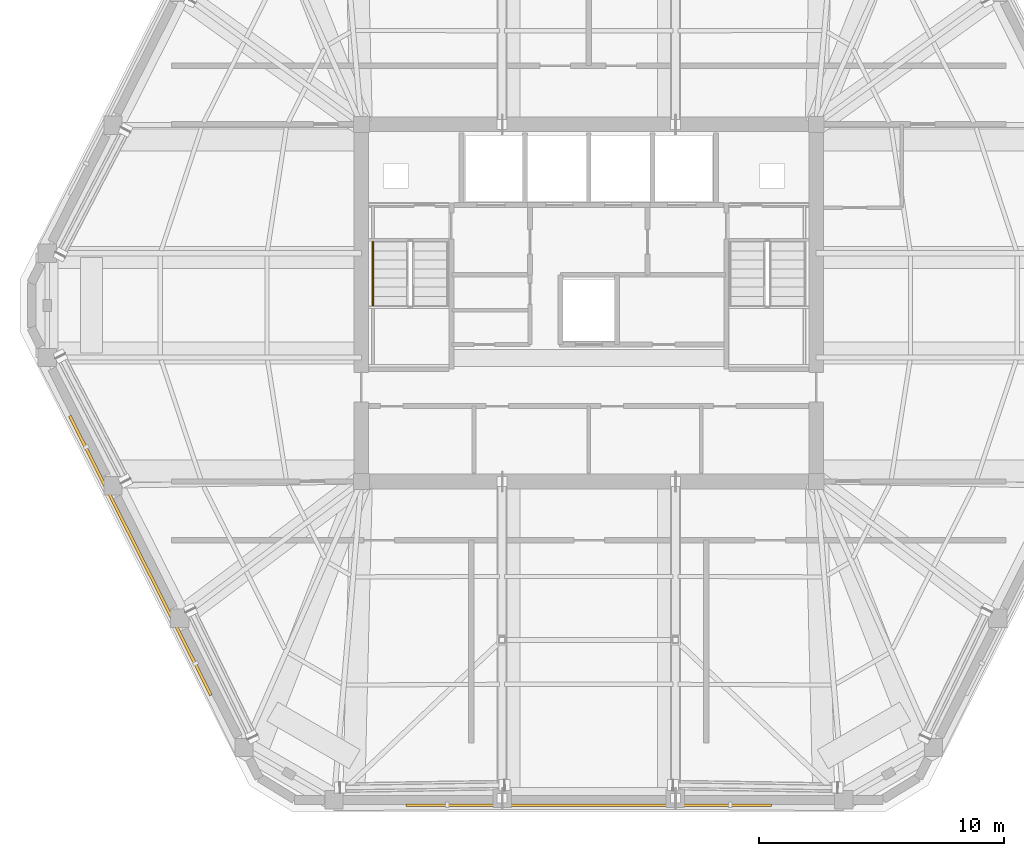
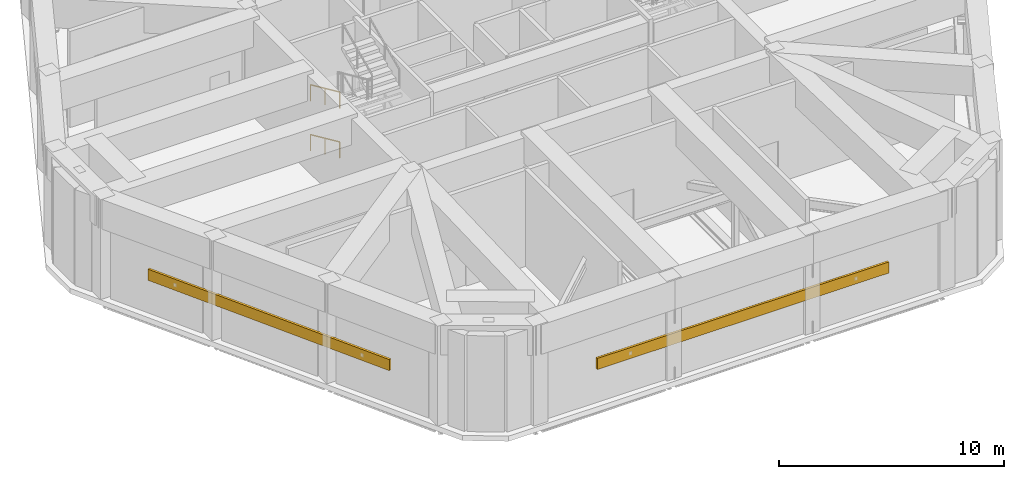
# One storey, part 13 of 15: 2 railings, 2 shading devices.
"""IFC4 building model written with IfcOpenShell, lengths in metres."""

import ifcopenshell
import ifcopenshell.guid

model = None  # the IFC model being written
_history = None  # IfcOwnerHistory: only IFC2X3 demands one
_inside = {}  # id of a spatial element -> (the spatial element, [elements in it])
_under = {}  # id of a project, library or spatial element -> (it, [spatial elements below it])
_declared = {}  # id of a project -> (the project, [libraries it declares])
_typed = {}  # id of a type object -> (the type object, [elements of that type])
_made_of = {}  # id of a material, layer set ... -> (it, [elements and type objects made of it])


def new_model(schema):
    """Start an empty IFC model of exactly this schema.

    Asked for "IFC4X3", IfcOpenShell would pick the latest addendum, in which some entities
    have other attributes; the version numbers below select the first issue.
    IFC2X3 requires an IfcOwnerHistory on every rooted entity: one is made here for all.
    """
    global model, _history
    if schema == "IFC4X3":
        model = ifcopenshell.file(schema_version=(4, 3, 0, 0))
    else:
        model = ifcopenshell.file(schema=schema)
    _inside.clear()
    _under.clear()
    _declared.clear()
    _typed.clear()
    _made_of.clear()
    _history = None
    if model.schema == "IFC2X3":
        org = make("IfcOrganization", Name="unknown")
        user = make(
            "IfcPersonAndOrganization",
            ThePerson=make("IfcPerson", FamilyName="unknown"),
            TheOrganization=org,
        )
        app = make(
            "IfcApplication",
            ApplicationDeveloper=org,
            Version="unknown",
            ApplicationFullName="unknown",
            ApplicationIdentifier="unknown",
        )
        _history = make(
            "IfcOwnerHistory",
            OwningUser=user,
            OwningApplication=app,
            ChangeAction="ADDED",
            CreationDate=0,
        )
    return model


def make(cls, **values):
    """One entity of the class cls with the attributes given. An attribute that is None is left unset."""
    return model.create_entity(
        cls, **{name: value for name, value in values.items() if value is not None}
    )


def rooted(cls, **values):
    """An entity with a GlobalId (a new one), such as an element, a storey or a relation."""
    return make(cls, GlobalId=ifcopenshell.guid.new(), OwnerHistory=_history, **values)


def si_unit(unit_type, name, prefix=None):
    """IfcSIUnit, for example si_unit("LENGTHUNIT", "METRE", prefix="MILLI")."""
    return make("IfcSIUnit", UnitType=unit_type, Prefix=prefix, Name=name)


def assignment(units):
    """IfcUnitAssignment: the units of a project."""
    return None if units is None else make("IfcUnitAssignment", Units=units)


def point(xyz):
    """IfcCartesianPoint."""
    return None if xyz is None else make("IfcCartesianPoint", Coordinates=xyz)


def direction(xyz):
    """IfcDirection."""
    return None if xyz is None else make("IfcDirection", DirectionRatios=xyz)


def frame(location, z_axis=None, x_axis=None):
    """IfcAxis2Placement3D, a coordinate frame: its origin and axes. An axis left out is left unset."""
    return make(
        "IfcAxis2Placement3D",
        Location=point(location),
        Axis=direction(z_axis),
        RefDirection=direction(x_axis),
    )


def frame_2d(location, x_axis=None):
    """IfcAxis2Placement2D, a coordinate frame in the plane: its origin and x axis."""
    return make(
        "IfcAxis2Placement2D", Location=point(location), RefDirection=direction(x_axis)
    )


def origin():
    """The frame at (0, 0, 0) with its axes left unset."""
    return frame((0.0, 0.0, 0.0))


def origin_2d():
    """The frame at (0, 0) in the plane with its x axis left unset."""
    return frame_2d((0.0, 0.0))


def place(relative_to, where):
    """IfcLocalPlacement: puts the frame where relative to a parent placement (None: the world)."""
    return make(
        "IfcLocalPlacement", PlacementRelTo=relative_to, RelativePlacement=where
    )


def context(
    kind, dimensions, precision=None, world=None, true_north=None, identifier=None
):
    """IfcGeometricRepresentationContext, for example the 3D "Model" context."""
    return make(
        "IfcGeometricRepresentationContext",
        ContextIdentifier=identifier,
        ContextType=kind,
        CoordinateSpaceDimension=dimensions,
        Precision=precision,
        WorldCoordinateSystem=world,
        TrueNorth=true_north,
    )


def subcontext(parent, identifier, kind, view, scale=None):
    """IfcGeometricRepresentationSubContext, for example "Body" below "Model"."""
    return make(
        "IfcGeometricRepresentationSubContext",
        ContextIdentifier=identifier,
        ContextType=kind,
        ParentContext=parent,
        TargetScale=scale,
        TargetView=view,
    )


def project(units=None, contexts=None):
    """IfcProject with its units and contexts."""
    return rooted(
        "IfcProject",
        Name="project",
        RepresentationContexts=contexts,
        UnitsInContext=assignment(units),
    )


def spatial(cls, under=None, at=None, **own):
    """A site, building, storey or space (cls), placed at a placement, below another one or the project."""
    s = rooted(cls, ObjectPlacement=at, **own)
    if under is not None:
        _under.setdefault(under.id(), (under, []))[1].append(s)
    return s


def profile(cls, at=None, kind="AREA", **sizes):
    """A parametric profile (cls). Its sizes go by their IFC names, for example OverallWidth=200.0."""
    return make(cls, ProfileType=kind, Position=at, **sizes)


def rectangle(**sizes):
    """IfcRectangleProfileDef."""
    return profile("IfcRectangleProfileDef", **sizes)


def extrude(swept, where, along, depth):
    """IfcExtrudedAreaSolid: the profile swept, set in the frame where, extruded along a direction by depth."""
    return make(
        "IfcExtrudedAreaSolid",
        SweptArea=swept,
        Position=where,
        ExtrudedDirection=direction(along),
        Depth=depth,
    )


def shape(context_of_items, identifier, shape_type, items):
    """IfcShapeRepresentation: the items that make up one representation, for example the "Body"."""
    return make(
        "IfcShapeRepresentation",
        ContextOfItems=context_of_items,
        RepresentationIdentifier=identifier,
        RepresentationType=shape_type,
        Items=items,
    )


def material(Name=None, Category=None):
    """IfcMaterial."""
    return make("IfcMaterial", Name=Name, Category=Category)


def layer(
    of_material, thickness, ventilated=None, Name=None, Category=None, Priority=None
):
    """IfcMaterialLayer: one layer of a wall or slab, of a material (None: an air gap)."""
    return make(
        "IfcMaterialLayer",
        Material=of_material,
        LayerThickness=thickness,
        IsVentilated=ventilated,
        Name=Name,
        Category=Category,
        Priority=Priority,
    )


def layer_set(layers, Name=None):
    """IfcMaterialLayerSet."""
    return make("IfcMaterialLayerSet", MaterialLayers=layers, LayerSetName=Name)


def made_of(thing, what):
    """Note that an element or type object is made of a material, layer set ...; save() writes the relation."""
    if what is not None:
        _made_of.setdefault(what.id(), (what, []))[1].append(thing)
    return thing


def type_object(cls, material=None, **own):
    """A type object (cls), such as IfcWallType, which elements share."""
    return made_of(rooted(cls, **own), material)


def element(
    cls,
    number,
    at=None,
    inside=None,
    cuts=None,
    type_object=None,
    material=None,
    context=None,
    identifier="Body",
    shape_type=None,
    held_by="IfcProductDefinitionShape",
    body=None,
    shapes=None,
    **own,
):
    """One element of the class cls, such as IfcWall. Its Tag is "e" and its number.

    at: its placement. inside: the storey or other place that contains it. cuts: it is an
    opening in that element (IfcRelVoidsElement). A single representation is given by context,
    identifier, shape_type and body (its items); several are given by shapes. held_by: the class
    of the entity that holds the representations. save() writes the other relations.
    """
    e = rooted(cls, Tag="e%d" % number, ObjectPlacement=at, **own)
    if body is not None:
        shapes = [shape(context, identifier, shape_type, body)]
    if shapes is not None:
        e.Representation = make(held_by, Representations=shapes)
    if inside is not None:
        _inside.setdefault(inside.id(), (inside, []))[1].append(e)
    if cuts is not None:
        rooted(
            "IfcRelVoidsElement", RelatingBuildingElement=cuts, RelatedOpeningElement=e
        )
    if type_object is not None:
        _typed.setdefault(type_object.id(), (type_object, []))[1].append(e)
    return made_of(e, material)


def aggregate(whole, parts):
    """IfcRelAggregates: a whole, such as a stair, and the parts it consists of."""
    return rooted("IfcRelAggregates", RelatingObject=whole, RelatedObjects=parts)


def save(model, path):
    """Write the relations noted so far, then the file.

    IfcRelAggregates (storeys below a building ...), IfcRelContainedInSpatialStructure (elements
    in a storey), IfcRelDefinesByType, IfcRelAssociatesMaterial and IfcRelDeclares: one each for
    every whole, place, type object, material and project.
    """
    for whole, parts in _under.values():
        aggregate(whole, parts)
    for where, things in _inside.values():
        rooted(
            "IfcRelContainedInSpatialStructure",
            RelatedElements=things,
            RelatingStructure=where,
        )
    for kind, things in _typed.values():
        rooted("IfcRelDefinesByType", RelatedObjects=things, RelatingType=kind)
    for what, things in _made_of.values():
        rooted("IfcRelAssociatesMaterial", RelatedObjects=things, RelatingMaterial=what)
    for by, libraries in _declared.values():
        rooted("IfcRelDeclares", RelatingContext=by, RelatedDefinitions=libraries)
    model.write(path)


model = new_model("IFC4")

# Units and contexts
model_context = context("Model", 3, precision=1e-05, world=origin(), true_north=direction((0.0, 1.0)))
body_context = subcontext(model_context, "Body", "Model", "MODEL_VIEW")
ifc_project = project(units=[si_unit("LENGTHUNIT", "METRE"), si_unit("AREAUNIT", "SQUARE_METRE"), si_unit("VOLUMEUNIT", "CUBIC_METRE"), si_unit("PLANEANGLEUNIT", "RADIAN"), si_unit("MASSUNIT", "GRAM", prefix="KILO")], contexts=[model_context])

# Site, building, storey
site_placement = place(None, origin())
site = spatial("IfcSite", under=ifc_project, at=site_placement, CompositionType="ELEMENT")
building_placement = place(site_placement, origin())
building = spatial("IfcBuilding", under=site, at=building_placement, Name="Cinnabar Lancet Tower", CompositionType="ELEMENT")
storey_placement = place(building_placement, frame((0.0, 0.0, 221.60009765625)))
storey = spatial("IfcBuildingStorey", under=building, at=storey_placement, Name="L59", CompositionType="ELEMENT", Elevation=221.60009765625)

# Shading devices
ifc_material_1 = material(Name="Anodized acoustic plant weather louvre", Category="aluminium")
ifc_layer = layer(ifc_material_1, 0.094970703125)
ifc_layer_set = layer_set([ifc_layer], Name="Anodized acoustic plant weather louvre")
shading_device_type = type_object("IfcShadingDeviceType", Name="ENV-SHD-LVR-600", PredefinedType="JALOUSIE", material=ifc_layer_set)
shading_device_1_placement = place(storey_placement, frame((32.39990234375, 5.360107421875, 1.849853515625), z_axis=(0.0, 0.0, 1.0), x_axis=(1.0, 0.0, 0.0)))
element("IfcShadingDevice", 1, at=shading_device_1_placement, inside=storey, type_object=shading_device_type, Name="L59 Face 1 Acoustic Plant Weather Louvre", PredefinedType="JALOUSIE", context=body_context, shape_type="SweptSolid", body=[
    extrude(rectangle(XDim=14.930908203125, YDim=0.1201171875, at=origin_2d()), origin(), (0.0, 0.0, 1.0), 0.60009765625),
])
shading_device_2_placement = place(storey_placement, frame((14.06689453125, 15.569091796875, 1.849853515625), z_axis=(0.0, 0.0, 1.0), x_axis=(0.451375984307, -0.89233386173, 0.0)))
element("IfcShadingDevice", 2, at=shading_device_2_placement, inside=storey, type_object=shading_device_type, Name="L59 Face 6 Acoustic Plant Weather Louvre", PredefinedType="JALOUSIE", context=body_context, shape_type="SweptSolid", body=[
    extrude(rectangle(XDim=12.800048828125, YDim=0.1201171875, at=origin_2d()), origin(), (0.0, 0.0, 1.0), 0.60009765625),
])

# Railings
ifc_material_2 = material(Name="Brushed stainless steel handrail", Category="steel")
railing_type = type_object("IfcRailingType", Name="HANDRAIL-STAIR", PredefinedType="HANDRAIL", material=ifc_material_2)
for number, where, name in (
    (3, (23.574951171875, 28.39990234375, 0.168701171875), "L59 ST-1 stair handrail 1"),
    (4, (23.574951171875, 28.39990234375, 2.86865234375), "L59 ST-1 stair handrail 3"),
):
    element("IfcRailing", number, at=place(storey_placement, frame(where)), inside=storey, type_object=railing_type, Name=name, PredefinedType="HANDRAIL", context=body_context, shape_type="SweptSolid", body=[
        extrude(rectangle(XDim=0.048095703125, YDim=0.048095703125, at=origin_2d()), frame((0.0, 0.0, 0.8759765625), z_axis=(0.0, -0.910430886142, 0.413661215923), x_axis=(1.0, 0.0, 0.0)), (0.0, 0.0, 1.0), 2.85546875),
        extrude(rectangle(XDim=0.0419921875, YDim=0.0419921875, at=origin_2d()), origin(), (0.0, 0.0, 1.0), 0.851806640625),
        extrude(rectangle(XDim=0.0419921875, YDim=0.0419921875, at=origin_2d()), frame((0.0, -1.2998046875, 0.590576171875)), (0.0, 0.0, 1.0), 0.851806640625),
        extrude(rectangle(XDim=0.0419921875, YDim=0.0419921875, at=origin_2d()), frame((0.0, -2.599609375, 1.18115234375)), (0.0, 0.0, 1.0), 0.851806640625),
    ])

save(model, "model.ifc")
